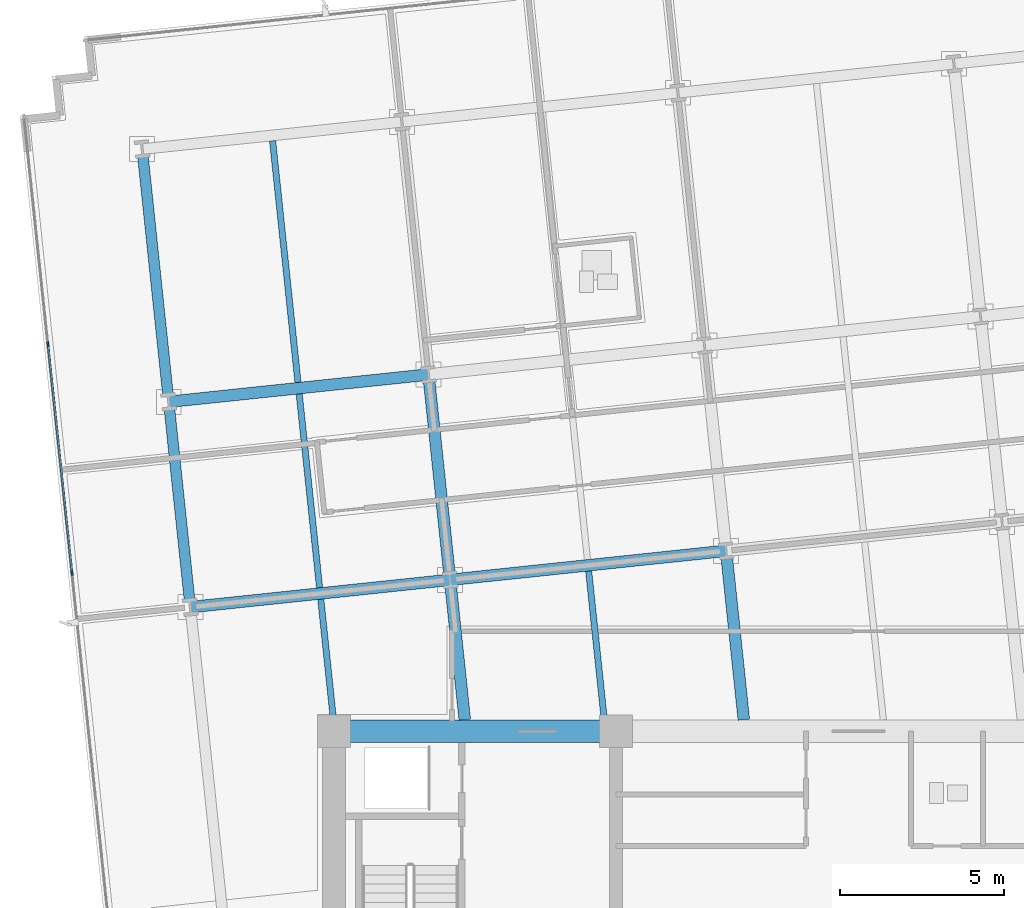
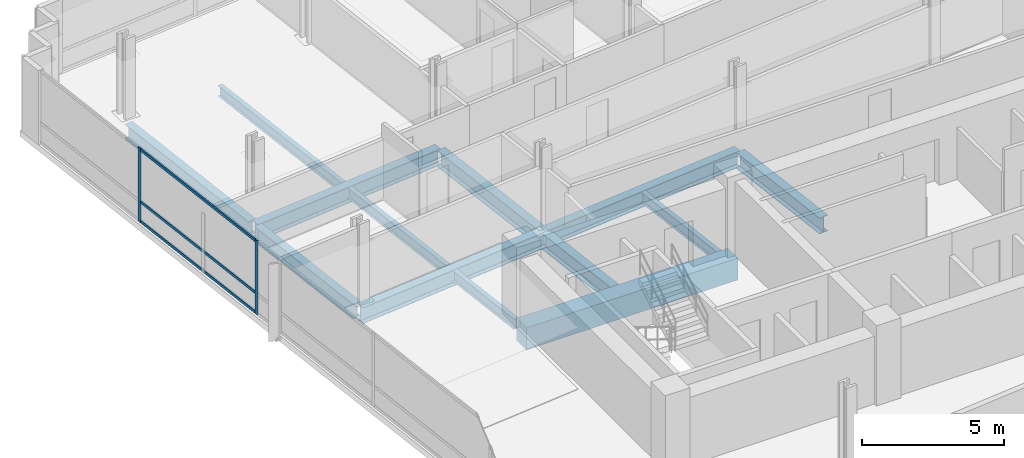
# One storey, part 4 of 21: 13 beams, 5 members, 1 element without a shape of its own.
"""IFC4 building model written with IfcOpenShell, lengths in metres."""

import ifcopenshell
import ifcopenshell.guid

model = None  # the IFC model being written
_history = None  # IfcOwnerHistory: only IFC2X3 demands one
_inside = {}  # id of a spatial element -> (the spatial element, [elements in it])
_under = {}  # id of a project, library or spatial element -> (it, [spatial elements below it])
_declared = {}  # id of a project -> (the project, [libraries it declares])
_typed = {}  # id of a type object -> (the type object, [elements of that type])
_made_of = {}  # id of a material, layer set ... -> (it, [elements and type objects made of it])


def new_model(schema):
    """Start an empty IFC model of exactly this schema.

    Asked for "IFC4X3", IfcOpenShell would pick the latest addendum, in which some entities
    have other attributes; the version numbers below select the first issue.
    IFC2X3 requires an IfcOwnerHistory on every rooted entity: one is made here for all.
    """
    global model, _history
    if schema == "IFC4X3":
        model = ifcopenshell.file(schema_version=(4, 3, 0, 0))
    else:
        model = ifcopenshell.file(schema=schema)
    _inside.clear()
    _under.clear()
    _declared.clear()
    _typed.clear()
    _made_of.clear()
    _history = None
    if model.schema == "IFC2X3":
        org = make("IfcOrganization", Name="unknown")
        user = make(
            "IfcPersonAndOrganization",
            ThePerson=make("IfcPerson", FamilyName="unknown"),
            TheOrganization=org,
        )
        app = make(
            "IfcApplication",
            ApplicationDeveloper=org,
            Version="unknown",
            ApplicationFullName="unknown",
            ApplicationIdentifier="unknown",
        )
        _history = make(
            "IfcOwnerHistory",
            OwningUser=user,
            OwningApplication=app,
            ChangeAction="ADDED",
            CreationDate=0,
        )
    return model


def make(cls, **values):
    """One entity of the class cls with the attributes given. An attribute that is None is left unset."""
    return model.create_entity(
        cls, **{name: value for name, value in values.items() if value is not None}
    )


def rooted(cls, **values):
    """An entity with a GlobalId (a new one), such as an element, a storey or a relation."""
    return make(cls, GlobalId=ifcopenshell.guid.new(), OwnerHistory=_history, **values)


def si_unit(unit_type, name, prefix=None):
    """IfcSIUnit, for example si_unit("LENGTHUNIT", "METRE", prefix="MILLI")."""
    return make("IfcSIUnit", UnitType=unit_type, Prefix=prefix, Name=name)


def assignment(units):
    """IfcUnitAssignment: the units of a project."""
    return None if units is None else make("IfcUnitAssignment", Units=units)


def point(xyz):
    """IfcCartesianPoint."""
    return None if xyz is None else make("IfcCartesianPoint", Coordinates=xyz)


def direction(xyz):
    """IfcDirection."""
    return None if xyz is None else make("IfcDirection", DirectionRatios=xyz)


def frame(location, z_axis=None, x_axis=None):
    """IfcAxis2Placement3D, a coordinate frame: its origin and axes. An axis left out is left unset."""
    return make(
        "IfcAxis2Placement3D",
        Location=point(location),
        Axis=direction(z_axis),
        RefDirection=direction(x_axis),
    )


def frame_2d(location, x_axis=None):
    """IfcAxis2Placement2D, a coordinate frame in the plane: its origin and x axis."""
    return make(
        "IfcAxis2Placement2D", Location=point(location), RefDirection=direction(x_axis)
    )


def origin():
    """The frame at (0, 0, 0) with its axes left unset."""
    return frame((0.0, 0.0, 0.0))


def origin_2d():
    """The frame at (0, 0) in the plane with its x axis left unset."""
    return frame_2d((0.0, 0.0))


def place(relative_to, where):
    """IfcLocalPlacement: puts the frame where relative to a parent placement (None: the world)."""
    return make(
        "IfcLocalPlacement", PlacementRelTo=relative_to, RelativePlacement=where
    )


def context(
    kind, dimensions, precision=None, world=None, true_north=None, identifier=None
):
    """IfcGeometricRepresentationContext, for example the 3D "Model" context."""
    return make(
        "IfcGeometricRepresentationContext",
        ContextIdentifier=identifier,
        ContextType=kind,
        CoordinateSpaceDimension=dimensions,
        Precision=precision,
        WorldCoordinateSystem=world,
        TrueNorth=true_north,
    )


def subcontext(parent, identifier, kind, view, scale=None):
    """IfcGeometricRepresentationSubContext, for example "Body" below "Model"."""
    return make(
        "IfcGeometricRepresentationSubContext",
        ContextIdentifier=identifier,
        ContextType=kind,
        ParentContext=parent,
        TargetScale=scale,
        TargetView=view,
    )


def project(units=None, contexts=None):
    """IfcProject with its units and contexts."""
    return rooted(
        "IfcProject",
        Name="project",
        RepresentationContexts=contexts,
        UnitsInContext=assignment(units),
    )


def spatial(cls, under=None, at=None, **own):
    """A site, building, storey or space (cls), placed at a placement, below another one or the project."""
    s = rooted(cls, ObjectPlacement=at, **own)
    if under is not None:
        _under.setdefault(under.id(), (under, []))[1].append(s)
    return s


def profile(cls, at=None, kind="AREA", **sizes):
    """A parametric profile (cls). Its sizes go by their IFC names, for example OverallWidth=200.0."""
    return make(cls, ProfileType=kind, Position=at, **sizes)


def rectangle(**sizes):
    """IfcRectangleProfileDef."""
    return profile("IfcRectangleProfileDef", **sizes)


def i_section(**sizes):
    """IfcIShapeProfileDef."""
    return profile("IfcIShapeProfileDef", **sizes)


def extrude(swept, where, along, depth):
    """IfcExtrudedAreaSolid: the profile swept, set in the frame where, extruded along a direction by depth."""
    return make(
        "IfcExtrudedAreaSolid",
        SweptArea=swept,
        Position=where,
        ExtrudedDirection=direction(along),
        Depth=depth,
    )


def shape(context_of_items, identifier, shape_type, items):
    """IfcShapeRepresentation: the items that make up one representation, for example the "Body"."""
    return make(
        "IfcShapeRepresentation",
        ContextOfItems=context_of_items,
        RepresentationIdentifier=identifier,
        RepresentationType=shape_type,
        Items=items,
    )


def material(Name=None, Category=None):
    """IfcMaterial."""
    return make("IfcMaterial", Name=Name, Category=Category)


def material_profile(
    of_material, cross_section, Name=None, Category=None, Priority=None
):
    """IfcMaterialProfile: a cross section and its material."""
    return make(
        "IfcMaterialProfile",
        Name=Name,
        Material=of_material,
        Profile=cross_section,
        Priority=Priority,
        Category=Category,
    )


def profile_set(profiles, Name=None, composite=None):
    """IfcMaterialProfileSet."""
    return make(
        "IfcMaterialProfileSet",
        Name=Name,
        MaterialProfiles=profiles,
        CompositeProfile=composite,
    )


def made_of(thing, what):
    """Note that an element or type object is made of a material, layer set ...; save() writes the relation."""
    if what is not None:
        _made_of.setdefault(what.id(), (what, []))[1].append(thing)
    return thing


def type_object(cls, material=None, **own):
    """A type object (cls), such as IfcWallType, which elements share."""
    return made_of(rooted(cls, **own), material)


def element(
    cls,
    number,
    at=None,
    inside=None,
    cuts=None,
    type_object=None,
    material=None,
    context=None,
    identifier="Body",
    shape_type=None,
    held_by="IfcProductDefinitionShape",
    body=None,
    shapes=None,
    **own,
):
    """One element of the class cls, such as IfcWall. Its Tag is "e" and its number.

    at: its placement. inside: the storey or other place that contains it. cuts: it is an
    opening in that element (IfcRelVoidsElement). A single representation is given by context,
    identifier, shape_type and body (its items); several are given by shapes. held_by: the class
    of the entity that holds the representations. save() writes the other relations.
    """
    e = rooted(cls, Tag="e%d" % number, ObjectPlacement=at, **own)
    if body is not None:
        shapes = [shape(context, identifier, shape_type, body)]
    if shapes is not None:
        e.Representation = make(held_by, Representations=shapes)
    if inside is not None:
        _inside.setdefault(inside.id(), (inside, []))[1].append(e)
    if cuts is not None:
        rooted(
            "IfcRelVoidsElement", RelatingBuildingElement=cuts, RelatedOpeningElement=e
        )
    if type_object is not None:
        _typed.setdefault(type_object.id(), (type_object, []))[1].append(e)
    return made_of(e, material)


def aggregate(whole, parts):
    """IfcRelAggregates: a whole, such as a stair, and the parts it consists of."""
    return rooted("IfcRelAggregates", RelatingObject=whole, RelatedObjects=parts)


def save(model, path):
    """Write the relations noted so far, then the file.

    IfcRelAggregates (storeys below a building ...), IfcRelContainedInSpatialStructure (elements
    in a storey), IfcRelDefinesByType, IfcRelAssociatesMaterial and IfcRelDeclares: one each for
    every whole, place, type object, material and project.
    """
    for whole, parts in _under.values():
        aggregate(whole, parts)
    for where, things in _inside.values():
        rooted(
            "IfcRelContainedInSpatialStructure",
            RelatedElements=things,
            RelatingStructure=where,
        )
    for kind, things in _typed.values():
        rooted("IfcRelDefinesByType", RelatedObjects=things, RelatingType=kind)
    for what, things in _made_of.values():
        rooted("IfcRelAssociatesMaterial", RelatedObjects=things, RelatingMaterial=what)
    for by, libraries in _declared.values():
        rooted("IfcRelDeclares", RelatingContext=by, RelatedDefinitions=libraries)
    model.write(path)


model = new_model("IFC4")

# Units and contexts
model_context = context("Model", 3, precision=1e-05, world=origin(), true_north=direction((0.0, 1.0)))
body_context = subcontext(model_context, "Body", "Model", "MODEL_VIEW")
ifc_project = project(units=[si_unit("LENGTHUNIT", "METRE"), si_unit("AREAUNIT", "SQUARE_METRE"), si_unit("VOLUMEUNIT", "CUBIC_METRE"), si_unit("PLANEANGLEUNIT", "RADIAN"), si_unit("MASSUNIT", "GRAM", prefix="KILO")], contexts=[model_context])

# Site, building, storey
site_placement = place(None, origin())
site = spatial("IfcSite", under=ifc_project, at=site_placement, CompositionType="ELEMENT")
building_placement = place(site_placement, origin())
building = spatial("IfcBuilding", under=site, at=building_placement, Name="Solmavex Isthmus Hotel", CompositionType="ELEMENT")
storey_placement = place(building_placement, frame((0.0, 0.0, 106.35009765625)))
storey = spatial("IfcBuildingStorey", under=building, at=storey_placement, Name="L28", CompositionType="ELEMENT", Elevation=106.35009765625)

# Beams
ifc_material_1 = material(Name="Steel ASTM A992 Grade 50", Category="steel")
ifc_material_profile_1 = material_profile(ifc_material_1, i_section(OverallWidth=0.354736328125, OverallDepth=0.695556640625, WebThickness=0.015380859375, FlangeThickness=0.02490234375, FilletRadius=0.017822265625, at=origin_2d()), Name="W27X146")
ifc_profile_set_1 = profile_set([ifc_material_profile_1], Name="Steel ASTM A992 Grade 50")
beam_type_1 = type_object("IfcBeamType", Name="BM-BG-W27X146", PredefinedType="BEAM", material=ifc_profile_set_1)
beam_1_placement = place(storey_placement, frame((-20.383056640625, 1.28564453125, -0.60791015625), z_axis=(0.994520217478, 0.10454442609, 0.0), x_axis=(-0.10454442609, 0.994520217478, 0.0)))
element("IfcBeam", 1, at=beam_1_placement, inside=storey, type_object=beam_type_1, Name="Floor Girder L28-UG07", PredefinedType="BEAM", context=body_context, shape_type="SweptSolid", body=[
    extrude(i_section(OverallWidth=0.354736328125, OverallDepth=0.695556640625, WebThickness=0.015380859375, FlangeThickness=0.02490234375, FilletRadius=0.017822265625, at=origin_2d()), origin(), (0.0, 0.0, 1.0), 7.968017578125),
])
beam_2_placement = place(storey_placement, frame((-12.458740234375, 2.11865234375, -0.60791015625), z_axis=(0.994521085209, 0.104536171134, 0.0), x_axis=(-0.104536171134, 0.994521085209, 0.0)))
element("IfcBeam", 2, at=beam_2_placement, inside=storey, type_object=beam_type_1, Name="Floor Girder L28-UG08", PredefinedType="BEAM", context=body_context, shape_type="SweptSolid", body=[
    extrude(i_section(OverallWidth=0.354736328125, OverallDepth=0.695556640625, WebThickness=0.015380859375, FlangeThickness=0.02490234375, FilletRadius=0.017822265625, at=origin_2d()), origin(), (0.0, 0.0, 1.0), 8.466064453125),
])
beam_3_placement = place(storey_placement, frame((-21.04150390625, 7.54931640625, -0.60791015625), z_axis=(0.994523402738, 0.104514120609, 0.0), x_axis=(-0.104514120609, 0.994523402738, 0.0)))
element("IfcBeam", 3, at=beam_3_placement, inside=storey, type_object=beam_type_1, Name="Floor Girder L28-UG13", PredefinedType="BEAM", context=body_context, shape_type="SweptSolid", body=[
    extrude(i_section(OverallWidth=0.354736328125, OverallDepth=0.695556640625, WebThickness=0.015380859375, FlangeThickness=0.02490234375, FilletRadius=0.017822265625, at=origin_2d()), origin(), (0.0, 0.0, 1.0), 7.968017578125),
])
beam_4_placement = place(storey_placement, frame((-12.010009765625, -2.14990234375, -0.60791015625), z_axis=(-0.104548881212, 0.994519749144, 0.0), x_axis=(-0.994519749144, -0.104548881212, 0.0)))
element("IfcBeam", 4, at=beam_4_placement, inside=storey, type_object=beam_type_1, Name="Floor Beam L28-VG29", PredefinedType="BEAM", context=body_context, shape_type="SweptSolid", body=[
    extrude(i_section(OverallWidth=0.354736328125, OverallDepth=0.695556640625, WebThickness=0.015380859375, FlangeThickness=0.02490234375, FilletRadius=0.017822265625, at=origin_2d()), origin(), (0.0, 0.0, 1.0), 4.114501953125),
])
beam_5_placement = place(storey_placement, frame((-12.477294921875, 2.295166015625, -0.60791015625), z_axis=(-0.104545790518, 0.994520074048, 0.0), x_axis=(-0.994520074048, -0.104545790518, 0.0)))
element("IfcBeam", 5, at=beam_5_placement, inside=storey, type_object=beam_type_1, Name="Floor Beam L28-VG30", PredefinedType="BEAM", context=body_context, shape_type="SweptSolid", body=[
    extrude(i_section(OverallWidth=0.354736328125, OverallDepth=0.695556640625, WebThickness=0.015380859375, FlangeThickness=0.02490234375, FilletRadius=0.017822265625, at=origin_2d()), origin(), (0.0, 0.0, 1.0), 5.943115234375),
])
beam_6_placement = place(storey_placement, frame((-3.49755859375, -2.14990234375, -0.60791015625), z_axis=(-0.104496861251, 0.994525216366, 0.0), x_axis=(-0.994525216366, -0.104496861251, 0.0)))
element("IfcBeam", 6, at=beam_6_placement, inside=storey, type_object=beam_type_1, Name="Floor Beam L28-VG33", PredefinedType="BEAM", context=body_context, shape_type="SweptSolid", body=[
    extrude(i_section(OverallWidth=0.354736328125, OverallDepth=0.695556640625, WebThickness=0.015380859375, FlangeThickness=0.02490234375, FilletRadius=0.017822265625, at=origin_2d()), origin(), (0.0, 0.0, 1.0), 5.00439453125),
])
ifc_material_profile_2 = material_profile(ifc_material_1, i_section(OverallWidth=0.1904296875, OverallDepth=0.456787109375, WebThickness=0.009033203125, FlangeThickness=0.014404296875, FilletRadius=0.0126953125, at=origin_2d()), Name="W18X50")
ifc_profile_set_2 = profile_set([ifc_material_profile_2], Name="Steel ASTM A992 Grade 50")
beam_type_2 = type_object("IfcBeamType", Name="BM-BJ-W18X50", PredefinedType="JOIST", material=ifc_profile_set_2)
beam_7_placement = place(storey_placement, frame((-16.01611328125, -2.14990234375, -0.488525390625), z_axis=(-0.104505969986, 0.99452425925, 0.0), x_axis=(-0.99452425925, -0.104505969986, 0.0)))
element("IfcBeam", 7, at=beam_7_placement, inside=storey, type_object=beam_type_2, Name="Secondary Floor Joist L28-J02", PredefinedType="JOIST", context=body_context, shape_type="SweptSolid", body=[
    extrude(i_section(OverallWidth=0.1904296875, OverallDepth=0.456787109375, WebThickness=0.009033203125, FlangeThickness=0.014404296875, FilletRadius=0.0126953125, at=origin_2d()), origin(), (0.0, 0.0, 1.0), 3.69580078125),
])
beam_8_placement = place(storey_placement, frame((-16.439453125, 1.878662109375, -0.488525390625), z_axis=(-0.104545790518, 0.994520074048, 0.0), x_axis=(-0.994520074048, -0.104545790518, 0.0)))
element("IfcBeam", 8, at=beam_8_placement, inside=storey, type_object=beam_type_2, Name="Secondary Floor Joist L28-J03", PredefinedType="JOIST", context=body_context, shape_type="SweptSolid", body=[
    extrude(i_section(OverallWidth=0.1904296875, OverallDepth=0.456787109375, WebThickness=0.009033203125, FlangeThickness=0.014404296875, FilletRadius=0.0126953125, at=origin_2d()), origin(), (0.0, 0.0, 1.0), 5.943115234375),
])
beam_9_placement = place(storey_placement, frame((-17.097900390625, 8.14208984375, -0.488525390625), z_axis=(-0.104525307271, 0.994522227072, 0.0), x_axis=(-0.994522227072, -0.104525307271, 0.0)))
element("IfcBeam", 9, at=beam_9_placement, inside=storey, type_object=beam_type_2, Name="Secondary Floor Joist L28-J04", PredefinedType="JOIST", context=body_context, shape_type="SweptSolid", body=[
    extrude(i_section(OverallWidth=0.1904296875, OverallDepth=0.456787109375, WebThickness=0.009033203125, FlangeThickness=0.014404296875, FilletRadius=0.0126953125, at=origin_2d()), origin(), (0.0, 0.0, 1.0), 7.4111328125),
])
beam_10_placement = place(storey_placement, frame((-7.75390625, -2.14990234375, -0.488525390625), z_axis=(-0.104517550263, 0.994523042311, 0.0), x_axis=(-0.994523042311, -0.104517550263, 0.0)))
element("IfcBeam", 10, at=beam_10_placement, inside=storey, type_object=beam_type_2, Name="Secondary Floor Joist L28-J06", PredefinedType="JOIST", context=body_context, shape_type="SweptSolid", body=[
    extrude(i_section(OverallWidth=0.1904296875, OverallDepth=0.456787109375, WebThickness=0.009033203125, FlangeThickness=0.014404296875, FilletRadius=0.0126953125, at=origin_2d()), origin(), (0.0, 0.0, 1.0), 4.5595703125),
])
ifc_material_2 = material(Name="Concrete C60/75", Category="concrete")
ifc_material_profile_3 = material_profile(ifc_material_2, rectangle(XDim=0.699951171875, YDim=0.949951171875, at=origin_2d()), Name="RC700X950")
ifc_profile_set_3 = profile_set([ifc_material_profile_3], Name="Concrete C60/75")
beam_type_3 = type_object("IfcBeamType", Name="BM-CB-700X950", PredefinedType="BEAM", material=ifc_profile_set_3)
beam_11_placement = place(storey_placement, frame((-16.0, -2.5, -0.735107421875), z_axis=(1.0, 0.0, 0.0), x_axis=(0.0, 1.0, 0.0)))
element("IfcBeam", 11, at=beam_11_placement, inside=storey, type_object=beam_type_3, Name="Core Coupling Beam L28-CB4", PredefinedType="BEAM", context=body_context, shape_type="SweptSolid", body=[
    extrude(rectangle(XDim=0.699951171875, YDim=0.949951171875, at=origin_2d()), origin(), (0.0, 0.0, 1.0), 8.60009765625),
])
ifc_material_profile_4 = material_profile(ifc_material_1, i_section(OverallWidth=0.326416015625, OverallDepth=0.621826171875, WebThickness=0.015380859375, FlangeThickness=0.0244140625, FilletRadius=0.01513671875, at=origin_2d()), Name="W24X131")
ifc_profile_set_4 = profile_set([ifc_material_profile_4], Name="Steel ASTM A992 Grade 50")
beam_type_4 = type_object("IfcBeamType", Name="BM-SP-W24X131", PredefinedType="SPANDREL", material=ifc_profile_set_4)
beam_12_placement = place(storey_placement, frame((-20.401611328125, 1.462158203125, -0.571044921875), z_axis=(-0.104545790518, 0.994520074048, 0.0), x_axis=(-0.994520074048, -0.104545790518, 0.0)))
element("IfcBeam", 12, at=beam_12_placement, inside=storey, type_object=beam_type_4, Name="Floor Beam L28-VG26", PredefinedType="SPANDREL", context=body_context, shape_type="SweptSolid", body=[
    extrude(i_section(OverallWidth=0.326416015625, OverallDepth=0.621826171875, WebThickness=0.015380859375, FlangeThickness=0.0244140625, FilletRadius=0.01513671875, at=origin_2d()), origin(), (0.0, 0.0, 1.0), 5.943115234375),
])
beam_13_placement = place(storey_placement, frame((-21.06005859375, 7.7255859375, -0.571044921875), z_axis=(-0.10452188296, 0.994522586964, 0.0), x_axis=(-0.994522586964, -0.10452188296, 0.0)))
element("IfcBeam", 13, at=beam_13_placement, inside=storey, type_object=beam_type_4, Name="Floor Beam L28-VG27", PredefinedType="SPANDREL", context=body_context, shape_type="SweptSolid", body=[
    extrude(i_section(OverallWidth=0.326416015625, OverallDepth=0.621826171875, WebThickness=0.015380859375, FlangeThickness=0.0244140625, FilletRadius=0.01513671875, at=origin_2d()), origin(), (0.0, 0.0, 1.0), 7.411376953125),
])

# Curtain wall, members
ifc_material_3 = material(Name="Aluminium alloy 6063-T6", Category="aluminium")
curtain_wall_type = type_object("IfcCurtainWallType", Name="CW-SYS-06", PredefinedType="NOTDEFINED", material=ifc_material_3)
curtain_wall_placement = place(storey_placement, origin())
curtain_wall = element("IfcCurtainWall", 14, at=curtain_wall_placement, inside=storey, type_object=curtain_wall_type, Name="Stick Curtain Wall CWL-L28-W1", PredefinedType="NOTDEFINED")
ifc_material_profile_5 = material_profile(ifc_material_3, rectangle(XDim=0.06005859375, YDim=0.139892578125, at=origin_2d()), Name="CWM-60X140")
ifc_profile_set_5 = profile_set([ifc_material_profile_5], Name="Aluminium alloy 6063-T6")
member_type_1 = type_object("IfcMemberType", Name="CW-SYS-06-MUL", PredefinedType="MULLION", material=ifc_profile_set_5)
member_1_placement = place(storey_placement, frame((-23.991455078125, 2.32421875, 0.0), z_axis=(0.0, 0.0, 1.0), x_axis=(-0.994521893044, -0.104528485381, 0.0)))
member_1 = element("IfcMember", 15, at=member_1_placement, type_object=member_type_1, Name="CW-06 mullion 4", PredefinedType="MULLION", context=body_context, shape_type="SweptSolid", body=[
    extrude(rectangle(XDim=0.06005859375, YDim=0.139892578125, at=origin_2d()), origin(), (0.0, 0.0, 1.0), 3.18994140625),
])
member_2_placement = place(storey_placement, frame((-24.725341796875, 9.305908203125, 0.0), z_axis=(0.0, 0.0, 1.0), x_axis=(-0.994521893044, -0.104528485381, 0.0)))
member_2 = element("IfcMember", 16, at=member_2_placement, type_object=member_type_1, Name="CW-06 mullion 5", PredefinedType="MULLION", context=body_context, shape_type="SweptSolid", body=[
    extrude(rectangle(XDim=0.06005859375, YDim=0.139892578125, at=origin_2d()), origin(), (0.0, 0.0, 1.0), 3.18994140625),
])
ifc_material_profile_6 = material_profile(ifc_material_3, rectangle(XDim=0.06005859375, YDim=0.114990234375, at=origin_2d()), Name="CWT-60X115")
ifc_profile_set_6 = profile_set([ifc_material_profile_6], Name="Aluminium alloy 6063-T6")
member_type_2 = type_object("IfcMemberType", Name="CW-SYS-06-TRN", PredefinedType="USERDEFINED", material=ifc_profile_set_6)
member_3_placement = place(storey_placement, frame((-23.99462890625, 2.35400390625, 0.057373046875), z_axis=(-0.104531402636, 0.994521586424, 0.0), x_axis=(-0.994521586424, -0.104531402636, 0.0)))
member_3 = element("IfcMember", 17, at=member_3_placement, type_object=member_type_2, Name="CW-06 transom 4.1", ObjectType="TRANSOM", PredefinedType="USERDEFINED", context=body_context, shape_type="SweptSolid", body=[
    extrude(rectangle(XDim=0.06005859375, YDim=0.114990234375, at=origin_2d()), origin(), (0.0, 0.0, 1.0), 6.9599609375),
])
member_4_placement = place(storey_placement, frame((-23.99462890625, 2.35400390625, 0.89990234375), z_axis=(-0.104531402636, 0.994521586424, 0.0), x_axis=(-0.994521586424, -0.104531402636, 0.0)))
member_4 = element("IfcMember", 18, at=member_4_placement, type_object=member_type_2, Name="CW-06 transom 4.2", ObjectType="TRANSOM", PredefinedType="USERDEFINED", context=body_context, shape_type="SweptSolid", body=[
    extrude(rectangle(XDim=0.06005859375, YDim=0.114990234375, at=origin_2d()), origin(), (0.0, 0.0, 1.0), 6.9599609375),
])
member_5_placement = place(storey_placement, frame((-23.99462890625, 2.35400390625, 3.13232421875), z_axis=(-0.104531402636, 0.994521586424, 0.0), x_axis=(-0.994521586424, -0.104531402636, 0.0)))
member_5 = element("IfcMember", 19, at=member_5_placement, type_object=member_type_2, Name="CW-06 transom 4.3", ObjectType="TRANSOM", PredefinedType="USERDEFINED", context=body_context, shape_type="SweptSolid", body=[
    extrude(rectangle(XDim=0.06005859375, YDim=0.114990234375, at=origin_2d()), origin(), (0.0, 0.0, 1.0), 6.9599609375),
])
aggregate(curtain_wall, [member_1, member_2, member_3, member_4, member_5])

save(model, "model.ifc")
